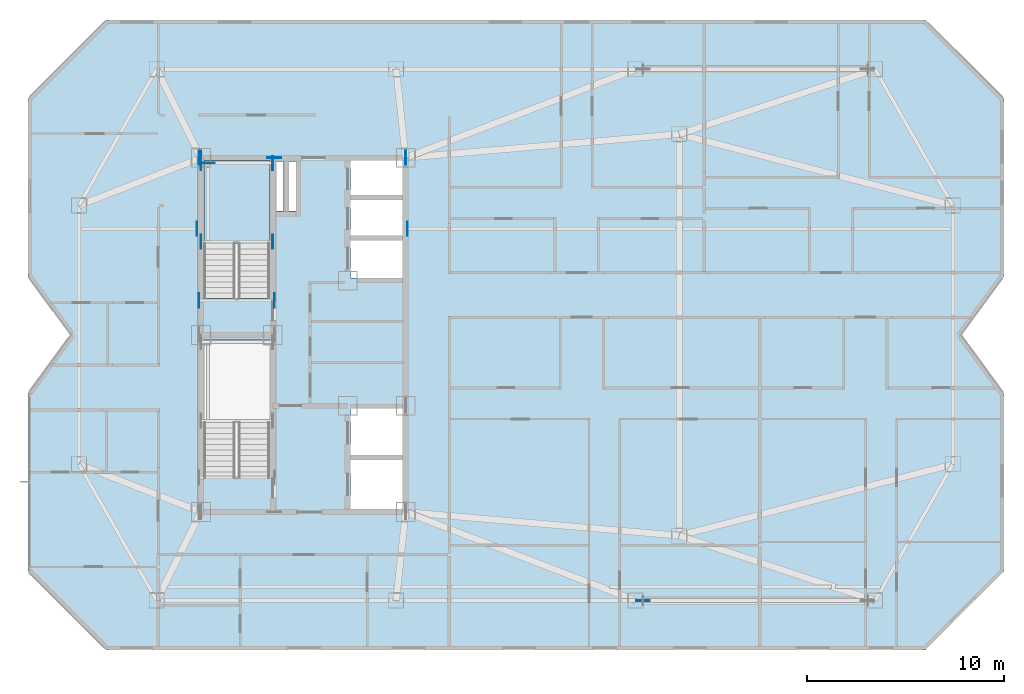
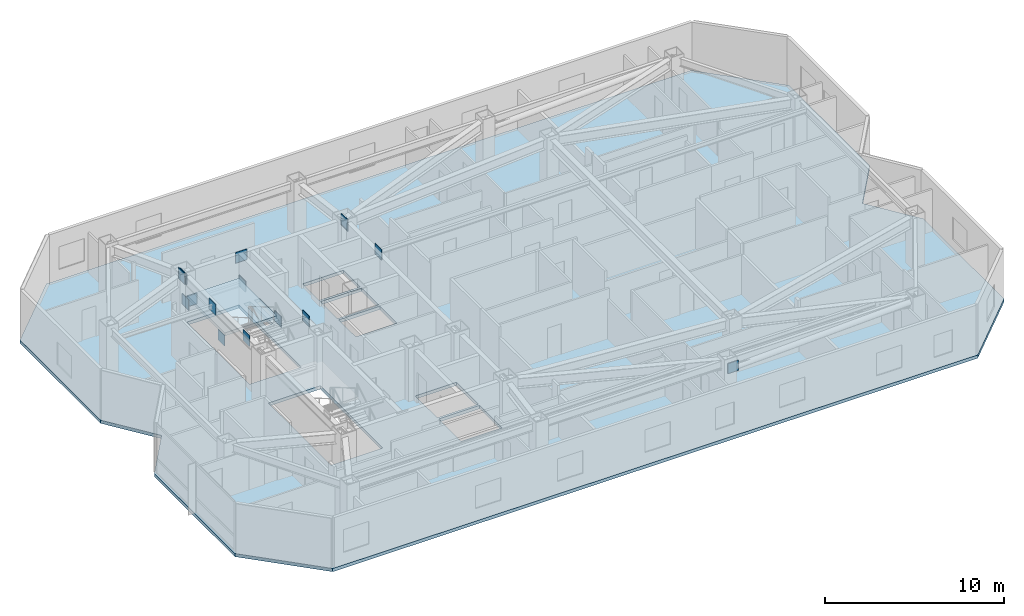
# One storey, part 6 of 14: 15 plates, 2 slabs, 1 element without a shape of its own.
"""IFC4 building model written with IfcOpenShell, lengths in metres."""

from ifc_helpers import new_model, si_unit, direction, frame, origin, origin_2d, place, context, subcontext, project, spatial, polyline, rectangle, outline, extrude, material, layer, layer_set, type_object, element, aggregate, save


model = new_model("IFC4")

# Units and contexts
model_context = context("Model", 3, precision=1e-05, world=origin(), true_north=direction((0.0, 1.0)))
body_context = subcontext(model_context, "Body", "Model", "MODEL_VIEW")
ifc_project = project(units=[si_unit("LENGTHUNIT", "METRE"), si_unit("AREAUNIT", "SQUARE_METRE"), si_unit("VOLUMEUNIT", "CUBIC_METRE"), si_unit("PLANEANGLEUNIT", "RADIAN"), si_unit("MASSUNIT", "GRAM", prefix="KILO")], contexts=[model_context])

# Site, building, storey
site_placement = place(None, origin())
site = spatial("IfcSite", under=ifc_project, at=site_placement, CompositionType="ELEMENT")
building_placement = place(site_placement, origin())
building = spatial("IfcBuilding", under=site, at=building_placement, Name="Khamvora Tower", CompositionType="ELEMENT")
storey_placement = place(building_placement, frame((0.0, 0.0, 242.75)))
storey = spatial("IfcBuildingStorey", under=building, at=storey_placement, Name="L62", CompositionType="ELEMENT", Elevation=242.75)

# Plates
ifc_material_1 = material(Name="Steel S460", Category="steel")
ifc_layer_1 = layer(ifc_material_1, 0.034912109375)
ifc_layer_set_1 = layer_set([ifc_layer_1], Name="Steel S460")
plate_type_1 = type_object("IfcPlateType", Name="PL-EMB-35", PredefinedType="SHEET", material=ifc_layer_set_1)
for number, where, z_axis, x_axis, name in (
    (1, (29.0, 32.735107421875, 1.1337890625), (0.0, 0.0, 1.0), (1.0, 0.0, 0.0), "L62 core shear wall cast-in embed plate 1806"),
    (2, (32.64990234375, 32.735107421875, 1.1337890625), (0.0, 0.0, 1.0), (1.0, 0.0, 0.0), "L62 core shear wall cast-in embed plate 1807"),
    (3, (29.0, 36.72998046875, 1.1337890625), (0.0, 0.0, 1.0), (1.0, 0.0, 0.0), "L62 core shear wall cast-in embed plate 1808"),
    (4, (32.64990234375, 36.72998046875, 1.1337890625), (0.0, 0.0, 1.0), (1.0, 0.0, 0.0), "L62 core shear wall cast-in embed plate 1809"),
):
    element("IfcPlate", number, at=place(storey_placement, frame(where, z_axis=z_axis, x_axis=x_axis)), inside=storey, type_object=plate_type_1, Name=name, PredefinedType="SHEET", context=body_context, shape_type="SweptSolid", body=[
        extrude(rectangle(XDim=0.034912109375, YDim=0.719970703125, at=origin_2d()), origin(), (0.0, 0.0, 1.0), 0.719970703125),
    ])
plate_1_placement = place(storey_placement, frame((29.35009765625, 36.72998046875, 1.1337890625), z_axis=(0.0, 0.0, 1.0), x_axis=(1.0, 0.0, 0.0)))
element("IfcPlate", 5, at=plate_1_placement, inside=storey, type_object=plate_type_1, Name="L62 core shear wall cast-in embed plate 1810", PredefinedType="SHEET", context=body_context, shape_type="SweptSolid", body=[
    extrude(rectangle(XDim=0.719970703125, YDim=0.034912109375, at=origin_2d()), origin(), (0.0, 0.0, 1.0), 0.719970703125),
])
for number, where, z_axis, x_axis, name in (
    (6, (29.0, 37.0, 2.72314453125), (0.0, 0.0, 1.0), (1.0, 0.0, 0.0), "L62 core shear wall cast-in embed plate 1813"),
    (7, (39.39990234375, 37.0, 2.72314453125), (0.0, 0.0, 1.0), (1.0, 0.0, 0.0), "L62 core shear wall cast-in embed plate 1814"),
    (8, (28.89990234375, 37.0, 2.80322265625), (0.0, 0.0, 1.0), (1.0, 0.0, 0.0), "L62 core shear wall cast-in embed plate 1817"),
):
    element("IfcPlate", number, at=place(storey_placement, frame(where, z_axis=z_axis, x_axis=x_axis)), inside=storey, type_object=plate_type_1, Name=name, PredefinedType="SHEET", context=body_context, shape_type="SweptSolid", body=[
        extrude(rectangle(XDim=0.034912109375, YDim=0.719970703125, at=origin_2d()), origin(), (0.0, 0.0, 1.0), 0.719970703125),
    ])
plate_2_placement = place(storey_placement, frame((32.72998046875, 37.0, 2.80322265625), z_axis=(0.0, 0.0, 1.0), x_axis=(1.0, 0.0, 0.0)))
element("IfcPlate", 9, at=plate_2_placement, inside=storey, type_object=plate_type_1, Name="L62 core shear wall cast-in embed plate 1820", PredefinedType="SHEET", context=body_context, shape_type="SweptSolid", body=[
    extrude(rectangle(XDim=0.719970703125, YDim=0.034912109375, at=origin_2d()), origin(), (0.0, 0.0, 1.0), 0.719970703125),
])
for number, where, z_axis, x_axis, name in (
    (10, (39.39990234375, 37.0, 2.80322265625), (0.0, 0.0, 1.0), (1.0, 0.0, 0.0), "L62 core shear wall cast-in embed plate 1823"),
    (11, (28.89990234375, 29.75, 2.94384765625), (0.0, 0.0, 1.0), (1.0, 0.0, 0.0), "L62 core shear wall cast-in embed plate 1826"),
    (12, (32.72998046875, 29.75, 2.94384765625), (0.0, 0.0, 1.0), (1.0, 0.0, 0.0), "L62 core shear wall cast-in embed plate 1827"),
    (13, (28.800048828125, 33.39990234375, 2.9140625), (0.0, 0.0, 1.0), (1.0, 0.0, 0.0), "L62 core shear wall cast-in embed plate 1828"),
    (14, (39.4990234375, 33.39990234375, 2.9140625), (0.0, 0.0, 1.0), (1.0, 0.0, 0.0), "L62 core shear wall cast-in embed plate 1829"),
):
    element("IfcPlate", number, at=place(storey_placement, frame(where, z_axis=z_axis, x_axis=x_axis)), inside=storey, type_object=plate_type_1, Name=name, PredefinedType="SHEET", context=body_context, shape_type="SweptSolid", body=[
        extrude(rectangle(XDim=0.034912109375, YDim=0.719970703125, at=origin_2d()), origin(), (0.0, 0.0, 1.0), 0.719970703125),
    ])
ifc_layer_2 = layer(ifc_material_1, 0.0400390625)
ifc_layer_set_2 = layer_set([ifc_layer_2], Name="Steel S460")
plate_type_2 = type_object("IfcPlateType", Name="PLT-GUS-40", PredefinedType="SHEET", material=ifc_layer_set_2)
plate_3_placement = place(storey_placement, frame((51.462890625, 14.5, 2.35498046875), z_axis=(0.0, 0.0, 1.0), x_axis=(1.0, 0.0, 0.0)))
element("IfcPlate", 15, at=plate_3_placement, inside=storey, type_object=plate_type_2, Name="L62 brace connection node gusset plate 0401", PredefinedType="SHEET", context=body_context, shape_type="SweptSolid", body=[
    extrude(rectangle(XDim=0.679931640625, YDim=0.0400390625, at=origin_2d()), origin(), (0.0, 0.0, 1.0), 0.679931640625),
])

# Stair, slab
ifc_material_2 = material(Name="Concrete C40/50", Category="concrete")
stair_type = type_object("IfcStairType", Name="STR-ST-02", PredefinedType="HALF_TURN_STAIR", material=ifc_material_2)
stair_placement = place(storey_placement, origin())
stair = element("IfcStair", 16, at=stair_placement, inside=storey, type_object=stair_type, Name="L62 North Tower Exit Stair ST-02", PredefinedType="HALF_TURN_STAIR")
ifc_layer_3 = layer(ifc_material_2, 0.199951171875)
ifc_layer_set_3 = layer_set([ifc_layer_3], Name="Concrete C40/50")
slab_type_1 = type_object("IfcSlabType", Name="SLB-LND-200", PredefinedType="LANDING", material=ifc_layer_set_3)
slab_1_placement = place(storey_placement, frame((0.0, 0.0, 1.625)))
slab_1 = element("IfcSlab", 17, at=slab_1_placement, type_object=slab_type_1, Name="ST-02 landing 1", PredefinedType="LANDING", context=body_context, shape_type="SweptSolid", body=[
    extrude(outline(polyline([(32.5, 32.614990234375), (32.5, 36.85009765625), (29.14990234375, 36.85009765625), (29.14990234375, 32.614990234375), (32.5, 32.614990234375)])), origin(), (0.0, 0.0, 1.0), 0.199951171875),
])
aggregate(stair, [slab_1])

# Slab
ifc_material_3 = material(Name="Concrete C35/45", Category="concrete")
ifc_layer_4 = layer(ifc_material_3, 0.219970703125)
ifc_layer_set_4 = layer_set([ifc_layer_4], Name="Concrete C35/45")
slab_type_2 = type_object("IfcSlabType", Name="SLB-TYP-220", PredefinedType="FLOOR", material=ifc_layer_set_4)
slab_2_placement = place(storey_placement, frame((0.0, 0.0, -0.219970703125)))
element("IfcSlab", 18, at=slab_2_placement, inside=storey, type_object=slab_type_2, Name="L62 structural floor slab", PredefinedType="FLOOR", context=body_context, shape_type="SweptSolid", body=[
    extrude(outline(polyline([(24.199951171875, 12.0), (65.800048828125, 12.0), (69.800048828125, 16.0), (69.800048828125, 25.0), (67.60009765625, 28.0), (69.800048828125, 31.0), (69.800048828125, 40.0), (65.800048828125, 44.0), (24.199951171875, 44.0), (20.199951171875, 40.0), (20.199951171875, 31.0), (22.39990234375, 28.0), (20.199951171875, 25.0), (20.199951171875, 16.0), (24.199951171875, 12.0)]), holes=[polyline([(32.5, 20.760009765625), (32.5, 27.75), (29.14990234375, 27.75), (29.14990234375, 20.760009765625), (32.5, 20.760009765625)]), polyline([(32.5, 29.860107421875), (32.5, 36.85009765625), (29.14990234375, 36.85009765625), (29.14990234375, 29.860107421875), (32.5, 29.860107421875)]), polyline([(36.60009765625, 19.14990234375), (39.25, 19.14990234375), (39.25, 21.64990234375), (36.60009765625, 21.64990234375), (36.60009765625, 19.14990234375)]), polyline([(36.60009765625, 21.800048828125), (39.25, 21.800048828125), (39.25, 24.25), (36.60009765625, 24.25), (36.60009765625, 21.800048828125)]), polyline([(36.60009765625, 30.89990234375), (39.25, 30.89990234375), (39.25, 32.800048828125), (36.60009765625, 32.800048828125), (36.60009765625, 30.89990234375)]), polyline([(36.60009765625, 32.949951171875), (39.25, 32.949951171875), (39.25, 34.85009765625), (36.60009765625, 34.85009765625), (36.60009765625, 32.949951171875)]), polyline([(36.60009765625, 35.0), (39.25, 35.0), (39.25, 36.85009765625), (36.60009765625, 36.85009765625), (36.60009765625, 35.0)]), polyline([(32.800048828125, 34.300048828125), (33.199951171875, 34.300048828125), (33.199951171875, 36.800048828125), (32.800048828125, 36.800048828125), (32.800048828125, 34.300048828125)]), polyline([(33.47998046875, 34.300048828125), (33.820068359375, 34.300048828125), (33.820068359375, 36.800048828125), (33.47998046875, 36.800048828125), (33.47998046875, 34.300048828125)])]), origin(), (0.0, 0.0, 1.0), 0.219970703125),
])

save(model, "model.ifc")
